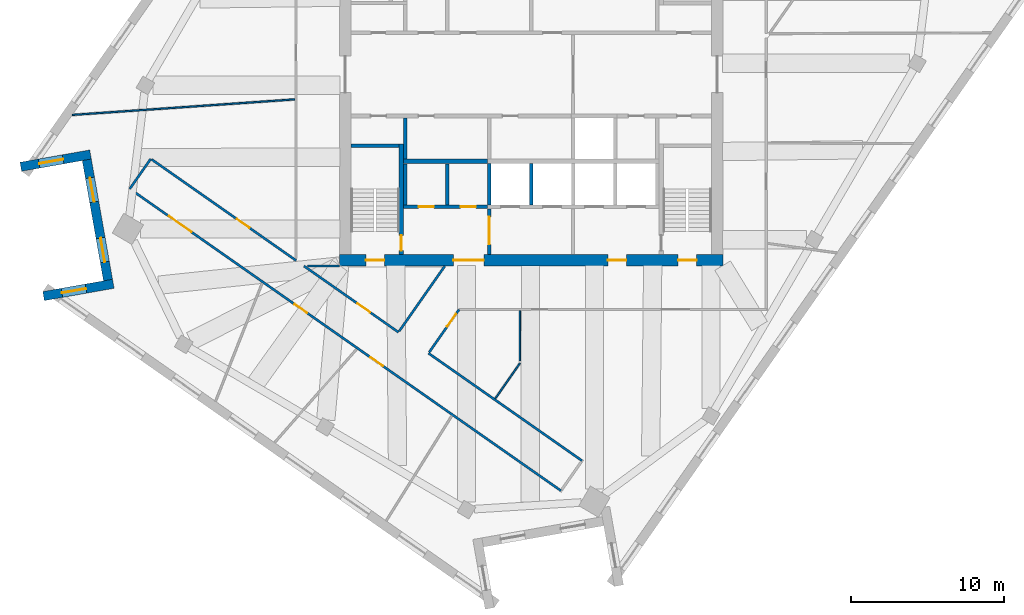
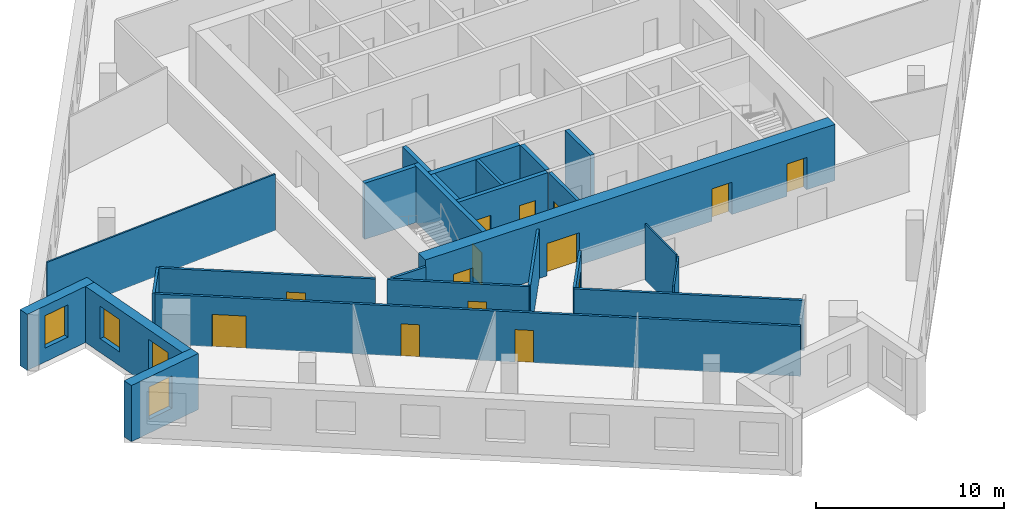
# One storey, part 6 of 13: 25 walls, 14 doors, 4 windows, 18 openings.
"""IFC4 building model written with IfcOpenShell, lengths in metres."""

from ifc_helpers import new_model, si_unit, direction, frame, frame_2d, origin, place, context, subcontext, project, spatial, rectangle, extrude, material, layer, layer_set, type_object, element, fill, save


model = new_model("IFC4")

# Units and contexts
model_context = context("Model", 3, precision=1e-05, world=origin(), true_north=direction((0.0, 1.0)))
body_context = subcontext(model_context, "Body", "Model", "MODEL_VIEW")
ifc_project = project(units=[si_unit("LENGTHUNIT", "METRE"), si_unit("AREAUNIT", "SQUARE_METRE"), si_unit("VOLUMEUNIT", "CUBIC_METRE"), si_unit("PLANEANGLEUNIT", "RADIAN"), si_unit("MASSUNIT", "GRAM", prefix="KILO")], contexts=[model_context])

# Site, building, storey
site_placement = place(None, origin())
site = spatial("IfcSite", under=ifc_project, at=site_placement, CompositionType="ELEMENT")
building_placement = place(site_placement, origin())
building = spatial("IfcBuilding", under=site, at=building_placement, Name="Dilmun Exchange Tower", CompositionType="ELEMENT")
storey_placement = place(building_placement, frame((0.0, 0.0, 246.89990234375)))
storey = spatial("IfcBuildingStorey", under=building, at=storey_placement, Name="L58", CompositionType="ELEMENT", Elevation=246.89990234375)

# Wall, opening, door
ifc_material_1 = material(Name="Concrete C40/50", Category="concrete")
ifc_layer_1 = layer(ifc_material_1, 0.199951171875)
ifc_layer_set_1 = layer_set([ifc_layer_1], Name="Concrete C40/50")
wall_type_1 = type_object("IfcWallType", Name="Core partition wall 200", PredefinedType="PARTITIONING", material=ifc_layer_set_1)
wall_1_placement = place(storey_placement, frame((-2.75, -11.794921875, 0.0), z_axis=(0.0, 0.0, 1.0), x_axis=(0.0, 1.0, 0.0)))
wall_1 = element("IfcWall", 1, at=wall_1_placement, inside=storey, type_object=wall_type_1, Name="L58 core partition wall 01", PredefinedType="PARTITIONING", context=body_context, shape_type="SweptSolid", body=[
    extrude(rectangle(XDim=2.989990234375, YDim=0.199951171875, at=frame_2d((1.4951171875, 0.0))), origin(), (0.0, 0.0, 1.0), 3.64013671875),
])
opening_1_placement = place(wall_1_placement, frame((0.657470703125, 0.0, 0.0)))
opening_1 = element("IfcOpeningElement", 2, at=opening_1_placement, cuts=wall_1, Name="Opening CD5", PredefinedType="OPENING", context=body_context, shape_type="SweptSolid", body=[
    extrude(rectangle(XDim=1.800048828125, YDim=2.10009765625, at=frame_2d((0.89990234375, 1.050048828125))), frame((0.0, 0.10986328125, 0.0), z_axis=(0.0, -1.0, 0.0), x_axis=(1.0, 0.0, 0.0)), (0.0, 0.0, 1.0), 0.219970703125),
])
ifc_material_2 = material(Name="Fire-rated steel door set", Category="steel")
door_type_1 = type_object("IfcDoorType", Name="Stair exit door 1800x2100", OperationType="SINGLE_SWING_LEFT", PredefinedType="DOOR", material=ifc_material_2)
door_1_placement = place(opening_1_placement, origin())
door_1 = element("IfcDoor", 3, at=door_1_placement, inside=storey, type_object=door_type_1, Name="L58 door Service lobby east", OperationType="SINGLE_SWING_LEFT", OverallHeight=2.10009765625, OverallWidth=1.800048828125, PredefinedType="DOOR", context=body_context, shape_type="SweptSolid", body=[
    extrude(rectangle(XDim=1.800048828125, YDim=2.10009765625, at=frame_2d((0.89990234375, 1.050048828125))), frame((0.0, 0.02490234375, 0.0), z_axis=(0.0, -1.0, 0.0), x_axis=(1.0, 0.0, 0.0)), (0.0, 0.0, 1.0), 0.050048828125),
])
fill(opening_1, door_1)

# Wall
wall_2_placement = place(storey_placement, frame((-5.5, -8.544921875, 0.0), z_axis=(0.0, 0.0, 1.0), x_axis=(0.0, 1.0, 0.0)))
element("IfcWall", 4, at=wall_2_placement, inside=storey, type_object=wall_type_1, Name="L58 core partition wall 05", PredefinedType="PARTITIONING", context=body_context, shape_type="SweptSolid", body=[
    extrude(rectangle(XDim=2.68994140625, YDim=0.199951171875, at=frame_2d((1.344970703125, 0.0))), origin(), (0.0, 0.0, 1.0), 3.64013671875),
])

# Wall, openings, doors
ifc_layer_2 = layer(ifc_material_1, 0.25)
ifc_layer_set_2 = layer_set([ifc_layer_2], Name="Concrete C40/50")
wall_type_2 = type_object("IfcWallType", Name="Core partition wall 250", PredefinedType="PARTITIONING", material=ifc_layer_set_2)
wall_3_placement = place(storey_placement, frame((-8.3701171875, -8.675048828125, 0.0), z_axis=(0.0, 0.0, 1.0), x_axis=(1.0, 0.0, 0.0)))
wall_3 = element("IfcWall", 5, at=wall_3_placement, inside=storey, type_object=wall_type_2, Name="L58 core partition wall 03", PredefinedType="PARTITIONING", context=body_context, shape_type="SweptSolid", body=[
    extrude(rectangle(XDim=5.490234375, YDim=0.25, at=frame_2d((2.7451171875, 0.0))), origin(), (0.0, 0.0, 1.0), 3.64013671875),
])
opening_2_placement = place(wall_3_placement, frame((0.9951171875, 0.0, 0.0)))
opening_2 = element("IfcOpeningElement", 6, at=opening_2_placement, cuts=wall_3, Name="Opening CD4", PredefinedType="OPENING", context=body_context, shape_type="SweptSolid", body=[
    extrude(rectangle(XDim=1.0, YDim=2.10009765625, at=frame_2d((0.5, 1.050048828125))), frame((0.0, 0.135009765625, 0.0), z_axis=(0.0, -1.0, 0.0), x_axis=(1.0, 0.0, 0.0)), (0.0, 0.0, 1.0), 0.27001953125),
])
opening_3_placement = place(wall_3_placement, frame((3.7451171875, 0.0, 0.0)))
opening_3 = element("IfcOpeningElement", 7, at=opening_3_placement, cuts=wall_3, Name="Opening CD4", PredefinedType="OPENING", context=body_context, shape_type="SweptSolid", body=[
    extrude(rectangle(XDim=1.0, YDim=2.10009765625, at=frame_2d((0.5, 1.050048828125))), frame((0.0, 0.135009765625, 0.0), z_axis=(0.0, -1.0, 0.0), x_axis=(1.0, 0.0, 0.0)), (0.0, 0.0, 1.0), 0.27001953125),
])
door_type_2 = type_object("IfcDoorType", Name="Core room door 1000x2100", OperationType="SINGLE_SWING_LEFT", PredefinedType="DOOR", material=ifc_material_2)
door_2_placement = place(opening_2_placement, origin())
door_2 = element("IfcDoor", 8, at=door_2_placement, inside=storey, type_object=door_type_2, Name="L58 door Male WC", OperationType="SINGLE_SWING_LEFT", OverallHeight=2.10009765625, OverallWidth=1.0, PredefinedType="DOOR", context=body_context, shape_type="SweptSolid", body=[
    extrude(rectangle(XDim=1.0, YDim=2.10009765625, at=frame_2d((0.5, 1.050048828125))), frame((0.0, 0.02490234375, 0.0), z_axis=(0.0, -1.0, 0.0), x_axis=(1.0, 0.0, 0.0)), (0.0, 0.0, 1.0), 0.050048828125),
])
fill(opening_2, door_2)
door_3_placement = place(opening_3_placement, origin())
door_3 = element("IfcDoor", 9, at=door_3_placement, inside=storey, type_object=door_type_2, Name="L58 door Female WC", OperationType="SINGLE_SWING_LEFT", OverallHeight=2.10009765625, OverallWidth=1.0, PredefinedType="DOOR", context=body_context, shape_type="SweptSolid", body=[
    extrude(rectangle(XDim=1.0, YDim=2.10009765625, at=frame_2d((0.5, 1.050048828125))), frame((0.0, 0.02490234375, 0.0), z_axis=(0.0, -1.0, 0.0), x_axis=(1.0, 0.0, 0.0)), (0.0, 0.0, 1.0), 0.050048828125),
])
fill(opening_3, door_3)

# Walls
for number, where, z_axis, x_axis, name in (
    (10, (-8.25, -8.544921875, 0.0), (0.0, 0.0, 1.0), (0.0, 1.0, 0.0), "L58 core partition wall 04"),
    (11, (-8.25, -5.544921875, 0.0), (0.0, 0.0, 1.0), (0.0, 1.0, 0.0), "L58 core partition wall 07"),
):
    element("IfcWall", number, at=place(storey_placement, frame(where, z_axis=z_axis, x_axis=x_axis)), inside=storey, type_object=wall_type_2, Name=name, PredefinedType="PARTITIONING", context=body_context, shape_type="SweptSolid", body=[
        extrude(rectangle(XDim=2.68994140625, YDim=0.25, at=frame_2d((1.344970703125, 0.0))), origin(), (0.0, 0.0, 1.0), 3.64013671875),
    ])
ifc_layer_3 = layer(ifc_material_1, 0.300048828125)
ifc_layer_set_3 = layer_set([ifc_layer_3], Name="Concrete C40/50")
wall_type_3 = type_object("IfcWallType", Name="Core partition wall 300", PredefinedType="PARTITIONING", material=ifc_layer_set_3)
wall_4_placement = place(storey_placement, frame((-8.35009765625, -5.699951171875, 0.0), z_axis=(0.0, 0.0, 1.0), x_axis=(1.0, 0.0, 0.0)))
element("IfcWall", 12, at=wall_4_placement, inside=storey, type_object=wall_type_3, Name="L58 core partition wall 06", PredefinedType="PARTITIONING", context=body_context, shape_type="SweptSolid", body=[
    extrude(rectangle(XDim=5.47021484375, YDim=0.300048828125, at=frame_2d((2.735107421875, 0.0))), origin(), (0.0, 0.0, 1.0), 3.64013671875),
])

# Wall, openings, doors
ifc_material_3 = material(Name="Concrete C50/60", Category="concrete")
ifc_layer_4 = layer(ifc_material_3, 0.75)
ifc_layer_set_4 = layer_set([ifc_layer_4], Name="Concrete C50/60")
wall_type_4 = type_object("IfcWallType", Name="Core shear wall 750 Concrete C50/60", PredefinedType="SHEAR", material=ifc_layer_set_4)
wall_5_placement = place(storey_placement, frame((-12.550048828125, -12.175048828125, 0.0), z_axis=(0.0, 0.0, 1.0), x_axis=(1.0, 0.0, 0.0)))
wall_5 = element("IfcWall", 13, at=wall_5_placement, inside=storey, type_object=wall_type_4, Name="L58 core shear wall S", PredefinedType="SHEAR", context=body_context, shape_type="SweptSolid", body=[
    extrude(rectangle(XDim=25.10009765625, YDim=0.75, at=frame_2d((12.550048828125, 0.0))), origin(), (0.0, 0.0, 1.0), 3.64013671875),
])
opening_4_placement = place(wall_5_placement, frame((7.449951171875, 0.0, 0.0)))
opening_4 = element("IfcOpeningElement", 14, at=opening_4_placement, cuts=wall_5, Name="Opening CD2", PredefinedType="OPENING", context=body_context, shape_type="SweptSolid", body=[
    extrude(rectangle(XDim=2.0, YDim=2.10009765625, at=frame_2d((1.0, 1.050048828125))), frame((0.0, 0.385009765625, 0.0), z_axis=(0.0, -1.0, 0.0), x_axis=(1.0, 0.0, 0.0)), (0.0, 0.0, 1.0), 0.77001953125),
])
opening_5_placement = place(wall_5_placement, frame((17.574951171875, 0.0, 0.0)))
opening_5 = element("IfcOpeningElement", 15, at=opening_5_placement, cuts=wall_5, Name="Opening CD3", PredefinedType="OPENING", context=body_context, shape_type="SweptSolid", body=[
    extrude(rectangle(XDim=1.199951171875, YDim=2.10009765625, at=frame_2d((0.60009765625, 1.050048828125))), frame((0.0, 0.385009765625, 0.0), z_axis=(0.0, -1.0, 0.0), x_axis=(1.0, 0.0, 0.0)), (0.0, 0.0, 1.0), 0.77001953125),
])
opening_6_placement = place(wall_5_placement, frame((1.72509765625, 0.0, 0.0)))
opening_6 = element("IfcOpeningElement", 16, at=opening_6_placement, cuts=wall_5, Name="Opening CD3", PredefinedType="OPENING", context=body_context, shape_type="SweptSolid", body=[
    extrude(rectangle(XDim=1.199951171875, YDim=2.10009765625, at=frame_2d((0.60009765625, 1.050048828125))), frame((0.0, 0.385009765625, 0.0), z_axis=(0.0, -1.0, 0.0), x_axis=(1.0, 0.0, 0.0)), (0.0, 0.0, 1.0), 0.77001953125),
])
opening_7_placement = place(wall_5_placement, frame((22.175048828125, 0.0, 0.0)))
opening_7 = element("IfcOpeningElement", 17, at=opening_7_placement, cuts=wall_5, Name="Opening CD3", PredefinedType="OPENING", context=body_context, shape_type="SweptSolid", body=[
    extrude(rectangle(XDim=1.199951171875, YDim=2.10009765625, at=frame_2d((0.60009765625, 1.050048828125))), frame((0.0, 0.385009765625, 0.0), z_axis=(0.0, -1.0, 0.0), x_axis=(1.0, 0.0, 0.0)), (0.0, 0.0, 1.0), 0.77001953125),
])
door_type_3 = type_object("IfcDoorType", Name="Core service door 2000x2100", OperationType="DOUBLE_DOOR_DOUBLE_SWING", PredefinedType="DOOR", material=ifc_material_2)
door_4_placement = place(opening_4_placement, origin())
door_4 = element("IfcDoor", 18, at=door_4_placement, inside=storey, type_object=door_type_3, Name="L58 door South service lobby", OperationType="SINGLE_SWING_LEFT", OverallHeight=2.10009765625, OverallWidth=2.0, PredefinedType="DOOR", context=body_context, shape_type="SweptSolid", body=[
    extrude(rectangle(XDim=2.0, YDim=2.10009765625, at=frame_2d((1.0, 1.050048828125))), frame((0.0, 0.02490234375, 0.0), z_axis=(0.0, -1.0, 0.0), x_axis=(1.0, 0.0, 0.0)), (0.0, 0.0, 1.0), 0.050048828125),
])
fill(opening_4, door_4)
door_type_4 = type_object("IfcDoorType", Name="Stair exit door 1200x2100", OperationType="SINGLE_SWING_LEFT", PredefinedType="DOOR", material=ifc_material_2)
door_5_placement = place(opening_5_placement, origin())
door_5 = element("IfcDoor", 19, at=door_5_placement, inside=storey, type_object=door_type_4, Name="L58 door Fire-fighting lobby", OperationType="SINGLE_SWING_LEFT", OverallHeight=2.10009765625, OverallWidth=1.199951171875, PredefinedType="DOOR", context=body_context, shape_type="SweptSolid", body=[
    extrude(rectangle(XDim=1.199951171875, YDim=2.10009765625, at=frame_2d((0.60009765625, 1.050048828125))), frame((0.0, 0.02490234375, 0.0), z_axis=(0.0, -1.0, 0.0), x_axis=(1.0, 0.0, 0.0)), (0.0, 0.0, 1.0), 0.050048828125),
])
fill(opening_5, door_5)
door_6_placement = place(opening_6_placement, origin())
door_6 = element("IfcDoor", 20, at=door_6_placement, inside=storey, type_object=door_type_4, Name="L58 door Stair ST2", OperationType="SINGLE_SWING_LEFT", OverallHeight=2.10009765625, OverallWidth=1.199951171875, PredefinedType="DOOR", context=body_context, shape_type="SweptSolid", body=[
    extrude(rectangle(XDim=1.199951171875, YDim=2.10009765625, at=frame_2d((0.60009765625, 1.050048828125))), frame((0.0, 0.02490234375, 0.0), z_axis=(0.0, -1.0, 0.0), x_axis=(1.0, 0.0, 0.0)), (0.0, 0.0, 1.0), 0.050048828125),
])
fill(opening_6, door_6)
door_7_placement = place(opening_7_placement, origin())
door_7 = element("IfcDoor", 21, at=door_7_placement, inside=storey, type_object=door_type_4, Name="L58 door Stair ST3", OperationType="SINGLE_SWING_LEFT", OverallHeight=2.10009765625, OverallWidth=1.199951171875, PredefinedType="DOOR", context=body_context, shape_type="SweptSolid", body=[
    extrude(rectangle(XDim=1.199951171875, YDim=2.10009765625, at=frame_2d((0.60009765625, 1.050048828125))), frame((0.0, 0.02490234375, 0.0), z_axis=(0.0, -1.0, 0.0), x_axis=(1.0, 0.0, 0.0)), (0.0, 0.0, 1.0), 0.050048828125),
])
fill(opening_7, door_7)

# Wall
ifc_material_4 = material(Name="Corridor wall 150")
ifc_layer_5 = layer(ifc_material_4, 0.14990234375)
ifc_layer_set_5 = layer_set([ifc_layer_5], Name="Corridor wall 150")
wall_type_5 = type_object("IfcWallType", Name="Corridor wall 150", PredefinedType="PARTITIONING", material=ifc_layer_set_5)
wall_6_placement = place(storey_placement, frame((-26.2919921875, -7.493896484375, 0.0), z_axis=(0.0, 0.0, 1.0), x_axis=(0.573708088123, 0.819059844958, 0.0)))
element("IfcWall", 22, at=wall_6_placement, inside=storey, type_object=wall_type_5, Name="Corridor wall", PredefinedType="PARTITIONING", context=body_context, shape_type="SweptSolid", body=[
    extrude(rectangle(XDim=2.400146484375, YDim=0.14990234375, at=frame_2d((1.2001953125, 0.0))), origin(), (0.0, 0.0, 1.0), 3.239990234375),
])

# Wall, openings, doors
wall_7_placement = place(storey_placement, frame((-26.230712890625, -7.537109375, 0.0), z_axis=(0.0, 0.0, 1.0), x_axis=(0.819166569978, -0.573555690959, 0.0)))
wall_7 = element("IfcWall", 23, at=wall_7_placement, inside=storey, type_object=wall_type_5, Name="Corridor wall", PredefinedType="PARTITIONING", context=body_context, shape_type="SweptSolid", body=[
    extrude(rectangle(XDim=34.40283203125, YDim=0.14990234375, at=frame_2d((17.201416015625, 0.0))), origin(), (0.0, 0.0, 1.0), 3.239990234375),
])
opening_8_placement = place(wall_7_placement, frame((3.050048828125, 0.0, 0.0)))
opening_8 = element("IfcOpeningElement", 24, at=opening_8_placement, cuts=wall_7, Name="Opening TF57-D01", PredefinedType="OPENING", context=body_context, shape_type="SweptSolid", body=[
    extrude(rectangle(XDim=1.800048828125, YDim=2.10009765625, at=frame_2d((0.89990234375, 1.050048828125))), frame((0.0, 0.0849609375, 0.0), z_axis=(0.0, -1.0, 0.0), x_axis=(1.0, 0.0, 0.0)), (0.0, 0.0, 1.0), 0.169921875),
])
opening_9_placement = place(wall_7_placement, frame((13.102783203125, 0.0, 0.0)))
opening_9 = element("IfcOpeningElement", 25, at=opening_9_placement, cuts=wall_7, Name="Opening TF57-D04", PredefinedType="OPENING", context=body_context, shape_type="SweptSolid", body=[
    extrude(rectangle(XDim=1.0, YDim=2.10009765625, at=frame_2d((0.5, 1.050048828125))), frame((0.0, 0.0849609375, 0.0), z_axis=(0.0, -1.0, 0.0), x_axis=(1.0, 0.0, 0.0)), (0.0, 0.0, 1.0), 0.169921875),
])
opening_10_placement = place(wall_7_placement, frame((19.17333984375, 0.0, 0.0)))
opening_10 = element("IfcOpeningElement", 26, at=opening_10_placement, cuts=wall_7, Name="Opening TF57-D05", PredefinedType="OPENING", context=body_context, shape_type="SweptSolid", body=[
    extrude(rectangle(XDim=1.0, YDim=2.10009765625, at=frame_2d((0.5, 1.050048828125))), frame((0.0, 0.0849609375, 0.0), z_axis=(0.0, -1.0, 0.0), x_axis=(1.0, 0.0, 0.0)), (0.0, 0.0, 1.0), 0.169921875),
])
ifc_material_5 = material(Name="Fire door 1000 x 2100")
door_type_5 = type_object("IfcDoorType", Name="Fire door 1000 x 2100", OperationType="NOTDEFINED", PredefinedType="DOOR", material=ifc_material_5)
door_8_placement = place(opening_9_placement, frame((1.0, 0.0, 0.0), z_axis=(0.0, 0.0, 1.0), x_axis=(-1.0, 0.0, 0.0)))
door_8 = element("IfcDoor", 27, at=door_8_placement, inside=storey, type_object=door_type_5, Name="Door TF57-D04", OperationType="SINGLE_SWING_LEFT", OverallHeight=2.10009765625, OverallWidth=1.0, PredefinedType="DOOR", context=body_context, shape_type="SweptSolid", body=[
    extrude(rectangle(XDim=1.0, YDim=2.10009765625, at=frame_2d((0.5, 1.050048828125))), frame((0.0, 0.02490234375, 0.0), z_axis=(0.0, -1.0, 0.0), x_axis=(1.0, 0.0, 0.0)), (0.0, 0.0, 1.0), 0.050048828125),
])
fill(opening_9, door_8)
door_9_placement = place(opening_10_placement, frame((1.0, 0.0, 0.0), z_axis=(0.0, 0.0, 1.0), x_axis=(-1.0, 0.0, 0.0)))
door_9 = element("IfcDoor", 28, at=door_9_placement, inside=storey, type_object=door_type_5, Name="Door TF57-D05", OperationType="SINGLE_SWING_RIGHT", OverallHeight=2.10009765625, OverallWidth=1.0, PredefinedType="DOOR", context=body_context, shape_type="SweptSolid", body=[
    extrude(rectangle(XDim=1.0, YDim=2.10009765625, at=frame_2d((0.5, 1.050048828125))), frame((0.0, 0.02490234375, 0.0), z_axis=(0.0, -1.0, 0.0), x_axis=(1.0, 0.0, 0.0)), (0.0, 0.0, 1.0), 0.050048828125),
])
fill(opening_10, door_9)
ifc_material_6 = material(Name="Fire door pair 1800 x 2100")
door_type_6 = type_object("IfcDoorType", Name="Fire door pair 1800 x 2100", OperationType="NOTDEFINED", PredefinedType="DOOR", material=ifc_material_6)
door_10_placement = place(opening_8_placement, frame((1.800048828125, 0.0, 0.0), z_axis=(0.0, 0.0, 1.0), x_axis=(-1.0, 0.0, 0.0)))
door_10 = element("IfcDoor", 29, at=door_10_placement, inside=storey, type_object=door_type_6, Name="Door TF57-D01", OperationType="DOUBLE_DOOR_SINGLE_SWING", OverallHeight=2.10009765625, OverallWidth=1.800048828125, PredefinedType="DOOR", context=body_context, shape_type="SweptSolid", body=[
    extrude(rectangle(XDim=1.800048828125, YDim=2.10009765625, at=frame_2d((0.89990234375, 1.050048828125))), frame((0.0, 0.02490234375, 0.0), z_axis=(0.0, -1.0, 0.0), x_axis=(1.0, 0.0, 0.0)), (0.0, 0.0, 1.0), 0.050048828125),
])
fill(opening_8, door_10)

# Wall, opening, door
wall_8_placement = place(storey_placement, frame((-24.853515625, -5.571044921875, 0.0), z_axis=(0.0, 0.0, 1.0), x_axis=(0.819176259714, -0.573541851586, 0.0)))
wall_8 = element("IfcWall", 30, at=wall_8_placement, inside=storey, type_object=wall_type_5, Name="Corridor wall", PredefinedType="PARTITIONING", context=body_context, shape_type="SweptSolid", body=[
    extrude(rectangle(XDim=11.540283203125, YDim=0.14990234375, at=frame_2d((5.77001953125, 0.0))), origin(), (0.0, 0.0, 1.0), 3.239990234375),
])
opening_11_placement = place(wall_8_placement, frame((6.800048828125, 0.0, 0.0)))
opening_11 = element("IfcOpeningElement", 31, at=opening_11_placement, cuts=wall_8, Name="Opening TF57-D02", PredefinedType="OPENING", context=body_context, shape_type="SweptSolid", body=[
    extrude(rectangle(XDim=1.0, YDim=2.10009765625, at=frame_2d((0.5, 1.050048828125))), frame((0.0, 0.0849609375, 0.0), z_axis=(0.0, -1.0, 0.0), x_axis=(1.0, 0.0, 0.0)), (0.0, 0.0, 1.0), 0.169921875),
])
door_11_placement = place(opening_11_placement, origin())
door_11 = element("IfcDoor", 32, at=door_11_placement, inside=storey, type_object=door_type_5, Name="Door TF57-D02", OperationType="SINGLE_SWING_RIGHT", OverallHeight=2.10009765625, OverallWidth=1.0, PredefinedType="DOOR", context=body_context, shape_type="SweptSolid", body=[
    extrude(rectangle(XDim=1.0, YDim=2.10009765625, at=frame_2d((0.5, 1.050048828125))), frame((0.0, 0.02490234375, 0.0), z_axis=(0.0, -1.0, 0.0), x_axis=(1.0, 0.0, 0.0)), (0.0, 0.0, 1.0), 0.050048828125),
])
fill(opening_11, door_11)

wall_9_placement = place(storey_placement, frame((-14.885986328125, -12.550048828125, 0.0), z_axis=(0.0, 0.0, 1.0), x_axis=(0.819131763787, -0.57360539882, 0.0)))
wall_9 = element("IfcWall", 33, at=wall_9_placement, inside=storey, type_object=wall_type_5, Name="Corridor wall", PredefinedType="PARTITIONING", context=body_context, shape_type="SweptSolid", body=[
    extrude(rectangle(XDim=7.55908203125, YDim=0.14990234375, at=frame_2d((3.779541015625, 0.0))), origin(), (0.0, 0.0, 1.0), 3.239990234375),
])
opening_12_placement = place(wall_9_placement, frame((4.300048828125, 0.0, 0.0)))
opening_12 = element("IfcOpeningElement", 34, at=opening_12_placement, cuts=wall_9, Name="Opening TF57-D06", PredefinedType="OPENING", context=body_context, shape_type="SweptSolid", body=[
    extrude(rectangle(XDim=1.0, YDim=2.10009765625, at=frame_2d((0.5, 1.050048828125))), frame((0.0, 0.0849609375, 0.0), z_axis=(0.0, -1.0, 0.0), x_axis=(1.0, 0.0, 0.0)), (0.0, 0.0, 1.0), 0.169921875),
])
door_12_placement = place(opening_12_placement, origin())
door_12 = element("IfcDoor", 35, at=door_12_placement, inside=storey, type_object=door_type_5, Name="Door TF57-D06", OperationType="SINGLE_SWING_LEFT", OverallHeight=2.10009765625, OverallWidth=1.0, PredefinedType="DOOR", context=body_context, shape_type="SweptSolid", body=[
    extrude(rectangle(XDim=1.0, YDim=2.10009765625, at=frame_2d((0.5, 1.050048828125))), frame((0.0, 0.02490234375, 0.0), z_axis=(0.0, -1.0, 0.0), x_axis=(1.0, 0.0, 0.0)), (0.0, 0.0, 1.0), 0.050048828125),
])
fill(opening_12, door_12)

# Walls
wall_10_placement = place(storey_placement, frame((-14.648193359375, -12.550048828125, 0.0), z_axis=(0.0, 0.0, 1.0), x_axis=(1.0, 0.0, 0.0)))
element("IfcWall", 36, at=wall_10_placement, inside=storey, type_object=wall_type_5, Name="Corridor wall", PredefinedType="PARTITIONING", context=body_context, shape_type="SweptSolid", body=[
    extrude(rectangle(XDim=2.09814453125, YDim=0.14990234375, at=frame_2d((1.049072265625, 0.0))), origin(), (0.0, 0.0, 1.0), 3.239990234375),
])
wall_11_placement = place(storey_placement, frame((-8.65087890625, -16.82470703125, 0.0), z_axis=(0.0, 0.0, 1.0), x_axis=(0.57354712093, 0.819172570386, 0.0)))
element("IfcWall", 37, at=wall_11_placement, inside=storey, type_object=wall_type_5, Name="Corridor wall", PredefinedType="PARTITIONING", context=body_context, shape_type="SweptSolid", body=[
    extrude(rectangle(XDim=5.21826171875, YDim=0.14990234375, at=frame_2d((2.609130859375, 0.0))), origin(), (0.0, 0.0, 1.0), 3.239990234375),
])
wall_12_placement = place(storey_placement, frame((-6.72802734375, -18.262939453125, 0.0), z_axis=(0.0, 0.0, 1.0), x_axis=(0.819171177891, -0.573549109765, 0.0)))
element("IfcWall", 38, at=wall_12_placement, inside=storey, type_object=wall_type_5, Name="Corridor wall", PredefinedType="PARTITIONING", context=body_context, shape_type="SweptSolid", body=[
    extrude(rectangle(XDim=12.2744140625, YDim=0.14990234375, at=frame_2d((6.13720703125, 0.0))), origin(), (0.0, 0.0, 1.0), 3.239990234375),
])

# Wall, opening, door
wall_13_placement = place(storey_placement, frame((-6.68505859375, -18.201416015625, 0.0), z_axis=(0.0, 0.0, 1.0), x_axis=(0.573438386326, 0.819248690623, 0.0)))
wall_13 = element("IfcWall", 39, at=wall_13_placement, inside=storey, type_object=wall_type_5, Name="Corridor wall", PredefinedType="PARTITIONING", context=body_context, shape_type="SweptSolid", body=[
    extrude(rectangle(XDim=3.419677734375, YDim=0.14990234375, at=frame_2d((1.7099609375, 0.0))), origin(), (0.0, 0.0, 1.0), 3.239990234375),
])
opening_13_placement = place(wall_13_placement, frame((2.050048828125, 0.0, 0.0)))
opening_13 = element("IfcOpeningElement", 40, at=opening_13_placement, cuts=wall_13, Name="Opening TF57-D09", PredefinedType="OPENING", context=body_context, shape_type="SweptSolid", body=[
    extrude(rectangle(XDim=1.0, YDim=2.10009765625, at=frame_2d((0.5, 1.050048828125))), frame((0.0, 0.0849609375, 0.0), z_axis=(0.0, -1.0, 0.0), x_axis=(1.0, 0.0, 0.0)), (0.0, 0.0, 1.0), 0.169921875),
])
door_13_placement = place(opening_13_placement, frame((1.0, 0.0, 0.0), z_axis=(0.0, 0.0, 1.0), x_axis=(-1.0, 0.0, 0.0)))
door_13 = element("IfcDoor", 41, at=door_13_placement, inside=storey, type_object=door_type_5, Name="Door TF57-D09", OperationType="SINGLE_SWING_LEFT", OverallHeight=2.10009765625, OverallWidth=1.0, PredefinedType="DOOR", context=body_context, shape_type="SweptSolid", body=[
    extrude(rectangle(XDim=1.0, YDim=2.10009765625, at=frame_2d((0.5, 1.050048828125))), frame((0.0, 0.02490234375, 0.0), z_axis=(0.0, -1.0, 0.0), x_axis=(1.0, 0.0, 0.0)), (0.0, 0.0, 1.0), 0.050048828125),
])
fill(opening_13, door_13)

# Walls
ifc_layer_6 = layer(ifc_material_1, 0.25)
ifc_layer_set_6 = layer_set([ifc_layer_6], Name="Concrete C40/50")
wall_type_6 = type_object("IfcWallType", Name="Lift shaft wall 250", PredefinedType="SOLIDWALL", material=ifc_layer_set_6)
for number, where, z_axis, x_axis, name in (
    (42, (-2.75, -8.550048828125, 0.0), (0.0, 0.0, 1.0), (0.0, 1.0, 0.0), "L58 lift shaft divider S22"),
    (43, (0.0, -8.550048828125, 0.0), (0.0, 0.0, 1.0), (0.0, 1.0, 0.0), "L58 lift shaft divider S23"),
):
    element("IfcWall", number, at=place(storey_placement, frame(where, z_axis=z_axis, x_axis=x_axis)), inside=storey, type_object=wall_type_6, Name=name, PredefinedType="SOLIDWALL", context=body_context, shape_type="SweptSolid", body=[
        extrude(rectangle(XDim=2.699951171875, YDim=0.25, at=frame_2d((1.35009765625, 0.0))), origin(), (0.0, 0.0, 1.0), 3.64013671875),
    ])
ifc_material_7 = material(Name="Partition 100")
ifc_layer_7 = layer(ifc_material_7, 0.10009765625)
ifc_layer_set_7 = layer_set([ifc_layer_7], Name="Partition 100")
wall_type_7 = type_object("IfcWallType", Name="Partition 100", PredefinedType="PARTITIONING", material=ifc_layer_set_7)
wall_14_placement = place(storey_placement, frame((-30.05712890625, -2.656005859375, 0.0), z_axis=(0.0, 0.0, 1.0), x_axis=(0.99756824466, 0.069696465096, 0.0)))
element("IfcWall", 44, at=wall_14_placement, inside=storey, type_object=wall_type_7, Name="Partition", PredefinedType="PARTITIONING", context=body_context, shape_type="SweptSolid", body=[
    extrude(rectangle(XDim=14.6142578125, YDim=0.10009765625, at=frame_2d((7.30712890625, 0.0))), origin(), (0.0, 0.0, 1.0), 3.64013671875),
])
wall_15_placement = place(storey_placement, frame((-2.35888671875, -21.230712890625, 0.0), z_axis=(0.0, 0.0, 1.0), x_axis=(0.573549469352, 0.819170926123, 0.0)))
element("IfcWall", 45, at=wall_15_placement, inside=storey, type_object=wall_type_7, Name="Partition", PredefinedType="PARTITIONING", context=body_context, shape_type="SweptSolid", body=[
    extrude(rectangle(XDim=2.82080078125, YDim=0.10009765625, at=frame_2d((1.410400390625, 0.0))), origin(), (0.0, 0.0, 1.0), 3.64013671875),
])
wall_16_placement = place(storey_placement, frame((-0.740966796875, -18.761474609375, 0.0), z_axis=(0.0, 0.0, 1.0), x_axis=(0.0, 1.0, 0.0)))
element("IfcWall", 46, at=wall_16_placement, inside=storey, type_object=wall_type_7, Name="Partition", PredefinedType="PARTITIONING", context=body_context, shape_type="SweptSolid", body=[
    extrude(rectangle(XDim=3.286376953125, YDim=0.10009765625, at=frame_2d((1.64306640625, 0.0))), origin(), (0.0, 0.0, 1.0), 3.64013671875),
])

# Wall, opening, window
ifc_material_8 = material(Name="Precast concrete C50/60", Category="concrete")
ifc_layer_8 = layer(ifc_material_8, 0.60009765625)
ifc_layer_set_8 = layer_set([ifc_layer_8], Name="Precast concrete C50/60")
wall_type_8 = type_object("IfcWallType", Name="Precast stone-clad wall 600", PredefinedType="STANDARD", material=ifc_layer_set_8)
wall_17_placement = place(storey_placement, frame((-33.4287109375, -6.051513671875, 0.0), z_axis=(0.0, 0.0, 1.0), x_axis=(0.984808997794, 0.173641118013, 0.0)))
wall_17 = element("IfcWall", 47, at=wall_17_placement, inside=storey, type_object=wall_type_8, Name="Facade wall L58-04", PredefinedType="STANDARD", context=body_context, shape_type="SweptSolid", body=[
    extrude(rectangle(XDim=4.635498046875, YDim=0.60009765625, at=frame_2d((2.31787109375, 0.0))), origin(), (0.0, 0.0, 1.0), 3.64013671875),
])
opening_14_placement = place(wall_17_placement, frame((1.2177734375, 0.0, 0.89990234375)))
opening_14 = element("IfcOpeningElement", 48, at=opening_14_placement, cuts=wall_17, Name="Opening W160-210", PredefinedType="OPENING", context=body_context, shape_type="SweptSolid", body=[
    extrude(rectangle(XDim=1.60009765625, YDim=2.10009765625, at=frame_2d((0.800048828125, 1.050048828125))), frame((0.0, 0.31005859375, 0.0), z_axis=(0.0, -1.0, 0.0), x_axis=(1.0, 0.0, 0.0)), (0.0, 0.0, 1.0), 0.6201171875),
])
ifc_material_9 = material(Name="Clear low-emissivity glass in aluminium frame", Category="aluminium")
window_type = type_object("IfcWindowType", Name="Punched window 1600 x 2100", PartitioningType="DOUBLE_PANEL_VERTICAL", PredefinedType="WINDOW", material=ifc_material_9)
window_1_placement = place(opening_14_placement, origin())
window_1 = element("IfcWindow", 49, at=window_1_placement, inside=storey, type_object=window_type, Name="Window 5.1", OverallHeight=2.10009765625, OverallWidth=1.60009765625, PartitioningType="SINGLE_PANEL", PredefinedType="WINDOW", context=body_context, shape_type="SweptSolid", body=[
    extrude(rectangle(XDim=1.60009765625, YDim=2.10009765625, at=frame_2d((0.800048828125, 1.050048828125))), frame((0.0, 0.030029296875, 0.0), z_axis=(0.0, -1.0, 0.0), x_axis=(1.0, 0.0, 0.0)), (0.0, 0.0, 1.0), 0.06005859375),
])
fill(opening_14, window_1)

# Wall, openings, windows
wall_18_placement = place(storey_placement, frame((-29.10693359375, -5.593994140625, 0.0), z_axis=(0.0, 0.0, 1.0), x_axis=(0.173640837858, -0.98480904719, 0.0)))
wall_18 = element("IfcWall", 50, at=wall_18_placement, inside=storey, type_object=wall_type_8, Name="Facade wall L58-05", PredefinedType="STANDARD", context=body_context, shape_type="SweptSolid", body=[
    extrude(rectangle(XDim=8.000244140625, YDim=0.60009765625, at=frame_2d((4.0, 0.0))), origin(), (0.0, 0.0, 1.0), 3.64013671875),
])
opening_15_placement = place(wall_18_placement, frame((1.199951171875, 0.0, 0.89990234375)))
opening_15 = element("IfcOpeningElement", 51, at=opening_15_placement, cuts=wall_18, Name="Opening W160-210", PredefinedType="OPENING", context=body_context, shape_type="SweptSolid", body=[
    extrude(rectangle(XDim=1.60009765625, YDim=2.10009765625, at=frame_2d((0.800048828125, 1.050048828125))), frame((0.0, 0.31005859375, 0.0), z_axis=(0.0, -1.0, 0.0), x_axis=(1.0, 0.0, 0.0)), (0.0, 0.0, 1.0), 0.6201171875),
])
opening_16_placement = place(wall_18_placement, frame((5.199951171875, 0.0, 0.89990234375)))
opening_16 = element("IfcOpeningElement", 52, at=opening_16_placement, cuts=wall_18, Name="Opening W160-210", PredefinedType="OPENING", context=body_context, shape_type="SweptSolid", body=[
    extrude(rectangle(XDim=1.60009765625, YDim=2.10009765625, at=frame_2d((0.800048828125, 1.050048828125))), frame((0.0, 0.31005859375, 0.0), z_axis=(0.0, -1.0, 0.0), x_axis=(1.0, 0.0, 0.0)), (0.0, 0.0, 1.0), 0.6201171875),
])
window_2_placement = place(opening_15_placement, origin())
window_2 = element("IfcWindow", 53, at=window_2_placement, inside=storey, type_object=window_type, Name="Window 6.1", OverallHeight=2.10009765625, OverallWidth=1.60009765625, PartitioningType="SINGLE_PANEL", PredefinedType="WINDOW", context=body_context, shape_type="SweptSolid", body=[
    extrude(rectangle(XDim=1.60009765625, YDim=2.10009765625, at=frame_2d((0.800048828125, 1.050048828125))), frame((0.0, 0.030029296875, 0.0), z_axis=(0.0, -1.0, 0.0), x_axis=(1.0, 0.0, 0.0)), (0.0, 0.0, 1.0), 0.06005859375),
])
fill(opening_15, window_2)
window_3_placement = place(opening_16_placement, origin())
window_3 = element("IfcWindow", 54, at=window_3_placement, inside=storey, type_object=window_type, Name="Window 6.2", OverallHeight=2.10009765625, OverallWidth=1.60009765625, PartitioningType="SINGLE_PANEL", PredefinedType="WINDOW", context=body_context, shape_type="SweptSolid", body=[
    extrude(rectangle(XDim=1.60009765625, YDim=2.10009765625, at=frame_2d((0.800048828125, 1.050048828125))), frame((0.0, 0.030029296875, 0.0), z_axis=(0.0, -1.0, 0.0), x_axis=(1.0, 0.0, 0.0)), (0.0, 0.0, 1.0), 0.06005859375),
])
fill(opening_16, window_3)

# Wall, opening, window
wall_19_placement = place(storey_placement, frame((-27.3701171875, -13.7158203125, 0.0), z_axis=(0.0, 0.0, 1.0), x_axis=(-0.984799990421, -0.173692195754, 0.0)))
wall_19 = element("IfcWall", 55, at=wall_19_placement, inside=storey, type_object=wall_type_8, Name="Facade wall L58-06", PredefinedType="STANDARD", context=body_context, shape_type="SweptSolid", body=[
    extrude(rectangle(XDim=4.6357421875, YDim=0.60009765625, at=frame_2d((2.31787109375, 0.0))), origin(), (0.0, 0.0, 1.0), 3.64013671875),
])
opening_17_placement = place(wall_19_placement, frame((1.81787109375, 0.0, 0.89990234375)))
opening_17 = element("IfcOpeningElement", 56, at=opening_17_placement, cuts=wall_19, Name="Opening W160-210", PredefinedType="OPENING", context=body_context, shape_type="SweptSolid", body=[
    extrude(rectangle(XDim=1.60009765625, YDim=2.10009765625, at=frame_2d((0.800048828125, 1.050048828125))), frame((0.0, 0.31005859375, 0.0), z_axis=(0.0, -1.0, 0.0), x_axis=(1.0, 0.0, 0.0)), (0.0, 0.0, 1.0), 0.6201171875),
])
window_4_placement = place(opening_17_placement, origin())
window_4 = element("IfcWindow", 57, at=window_4_placement, inside=storey, type_object=window_type, Name="Window 7.1", OverallHeight=2.10009765625, OverallWidth=1.60009765625, PartitioningType="SINGLE_PANEL", PredefinedType="WINDOW", context=body_context, shape_type="SweptSolid", body=[
    extrude(rectangle(XDim=1.60009765625, YDim=2.10009765625, at=frame_2d((0.800048828125, 1.050048828125))), frame((0.0, 0.030029296875, 0.0), z_axis=(0.0, -1.0, 0.0), x_axis=(1.0, 0.0, 0.0)), (0.0, 0.0, 1.0), 0.06005859375),
])
fill(opening_17, window_4)

# Wall
ifc_layer_9 = layer(ifc_material_1, 0.25)
ifc_layer_set_9 = layer_set([ifc_layer_9], Name="Concrete C40/50")
wall_type_9 = type_object("IfcWallType", Name="Stair end wall 250", PredefinedType="SOLIDWALL", material=ifc_layer_set_9)
wall_20_placement = place(storey_placement, frame((-8.64990234375, -4.675048828125, 0.0), z_axis=(0.0, 0.0, 1.0), x_axis=(-1.0, 0.0, 0.0)))
element("IfcWall", 58, at=wall_20_placement, inside=storey, type_object=wall_type_9, Name="L58 ST2 far wall", PredefinedType="SOLIDWALL", context=body_context, shape_type="SweptSolid", body=[
    extrude(rectangle(XDim=3.150146484375, YDim=0.25, at=frame_2d((1.5751953125, 0.0))), origin(), (0.0, 0.0, 1.0), 3.64013671875),
])

# Wall, opening, door
ifc_layer_10 = layer(ifc_material_1, 0.27490234375)
ifc_layer_set_10 = layer_set([ifc_layer_10], Name="Concrete C40/50")
wall_type_10 = type_object("IfcWallType", Name="Stair wall 275", PredefinedType="SOLIDWALL", material=ifc_layer_set_10)
wall_21_placement = place(storey_placement, frame((-8.512451171875, -4.550048828125, 0.0), z_axis=(0.0, 0.0, 1.0), x_axis=(0.0, -1.0, 0.0)))
wall_21 = element("IfcWall", 59, at=wall_21_placement, inside=storey, type_object=wall_type_10, Name="L58 ST2 wall to lift block", PredefinedType="SOLIDWALL", context=body_context, shape_type="SweptSolid", body=[
    extrude(rectangle(XDim=7.25, YDim=0.27490234375, at=frame_2d((3.625, 0.0))), origin(), (0.0, 0.0, 1.0), 3.64013671875),
])
opening_18_placement = place(wall_21_placement, frame((6.0, 0.0, 0.0)))
opening_18 = element("IfcOpeningElement", 60, at=opening_18_placement, cuts=wall_21, Name="Opening CD4", PredefinedType="OPENING", context=body_context, shape_type="SweptSolid", body=[
    extrude(rectangle(XDim=1.0, YDim=2.10009765625, at=frame_2d((0.5, 1.050048828125))), frame((0.0, 0.1474609375, 0.0), z_axis=(0.0, -1.0, 0.0), x_axis=(1.0, 0.0, 0.0)), (0.0, 0.0, 1.0), 0.294921875),
])
door_14_placement = place(opening_18_placement, origin())
door_14 = element("IfcDoor", 61, at=door_14_placement, inside=storey, type_object=door_type_2, Name="L58 door ST2 from lobby", OperationType="SINGLE_SWING_LEFT", OverallHeight=2.10009765625, OverallWidth=1.0, PredefinedType="DOOR", context=body_context, shape_type="SweptSolid", body=[
    extrude(rectangle(XDim=1.0, YDim=2.10009765625, at=frame_2d((0.5, 1.050048828125))), frame((0.0, 0.02490234375, 0.0), z_axis=(0.0, -1.0, 0.0), x_axis=(1.0, 0.0, 0.0)), (0.0, 0.0, 1.0), 0.050048828125),
])
fill(opening_18, door_14)

save(model, "model.ifc")
